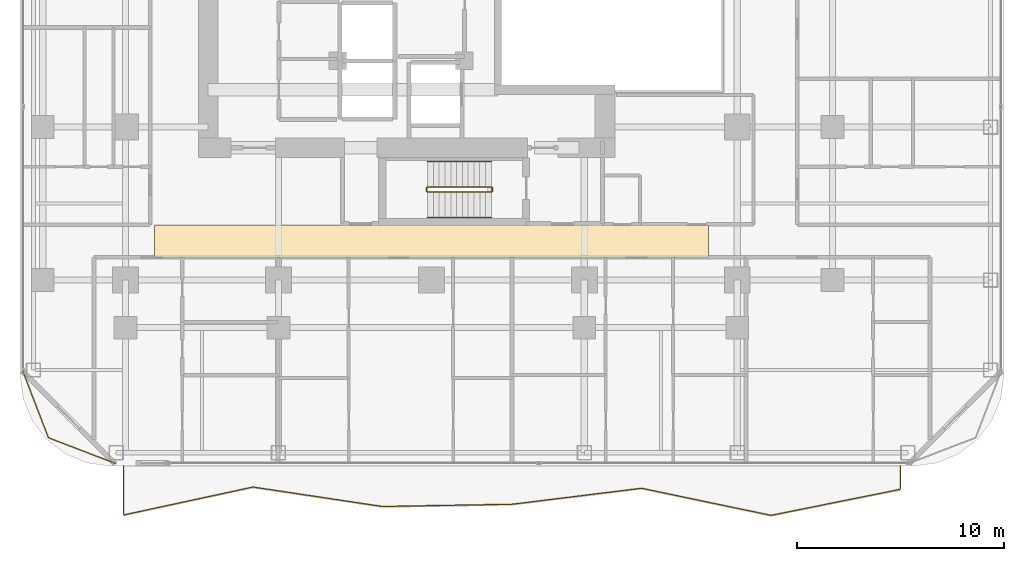
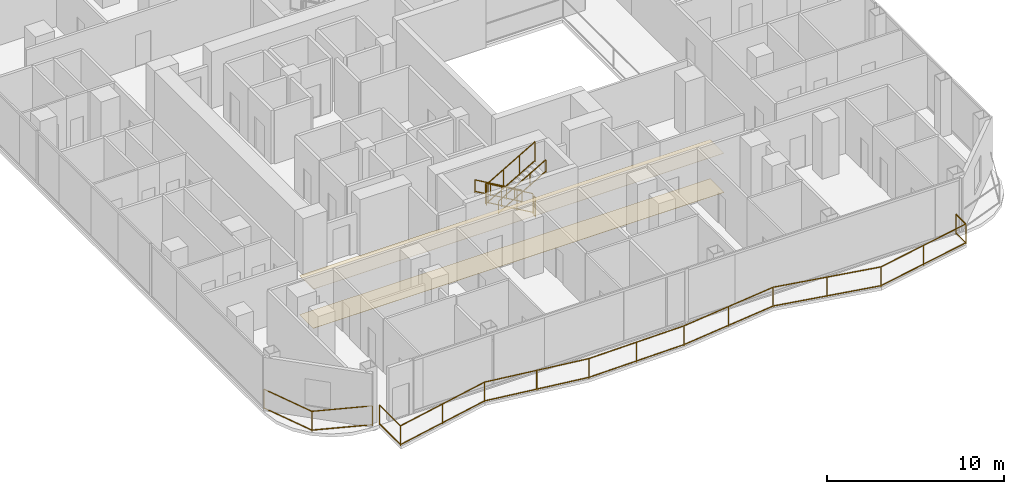
# One storey, part 27 of 29: 8 railings, 2 coverings.
"""IFC4 building model written with IfcOpenShell, lengths in metres."""

from ifc_helpers import new_model, si_unit, direction, frame, origin, origin_2d, place, context, subcontext, project, spatial, polyline, rectangle, outline, extrude, material, layer, layer_set, type_object, element, save


model = new_model("IFC4")

# Units and contexts
model_context = context("Model", 3, precision=1e-05, world=origin(), true_north=direction((0.0, 1.0)))
body_context = subcontext(model_context, "Body", "Model", "MODEL_VIEW")
ifc_project = project(units=[si_unit("LENGTHUNIT", "METRE"), si_unit("AREAUNIT", "SQUARE_METRE"), si_unit("VOLUMEUNIT", "CUBIC_METRE"), si_unit("PLANEANGLEUNIT", "RADIAN"), si_unit("MASSUNIT", "GRAM", prefix="KILO")], contexts=[model_context])

# Site, building, storey
site_placement = place(None, origin())
site = spatial("IfcSite", under=ifc_project, at=site_placement, CompositionType="ELEMENT")
building_placement = place(site_placement, origin())
building = spatial("IfcBuilding", under=site, at=building_placement, Name="Khorvyn Point Tower", CompositionType="ELEMENT")
storey_placement = place(building_placement, frame((0.0, 0.0, 140.699951171875)))
storey = spatial("IfcBuildingStorey", under=building, at=storey_placement, Name="L35", CompositionType="ELEMENT", Elevation=140.699951171875)

# Railings
ifc_material_1 = material(Name="Anodised aluminium 6063-T6 and laminated safety glass", Category="aluminium")
railing_type_1 = type_object("IfcRailingType", Name="Laminated Glass and Aluminium Balcony Guardrail 1400", PredefinedType="BALUSTRADE", material=ifc_material_1)
railing_1_placement = place(storey_placement, frame((-19.774169921875, -19.176025390625, 0.0)))
element("IfcRailing", 1, at=railing_1_placement, inside=storey, type_object=railing_type_1, Name="L35 Rounded Corner Edge Guardrail SW", PredefinedType="BALUSTRADE", context=body_context, shape_type="SweptSolid", body=[
    extrude(rectangle(XDim=0.048095703125, YDim=0.048095703125, at=origin_2d()), frame((0.0, 0.0, 1.3759765625), z_axis=(0.358382264808, -0.933574931257, 0.0), x_axis=(0.933574931257, 0.358382264808, 0.0)), (0.0, 0.0, 1.0), 3.481689453125),
    extrude(rectangle(XDim=0.048095703125, YDim=0.048095703125, at=origin_2d()), frame((0.0, 0.0, 0.080078125), z_axis=(0.358382264808, -0.933574931257, 0.0), x_axis=(0.933574931257, 0.358382264808, 0.0)), (0.0, 0.0, 1.0), 3.481689453125),
    extrude(rectangle(XDim=0.048095703125, YDim=0.048095703125, at=origin_2d()), frame((1.247802734375, -3.25048828125, 1.3759765625), z_axis=(0.933598390295, -0.358321148746, 0.0), x_axis=(0.358321148746, 0.933598390295, 0.0)), (0.0, 0.0, 1.0), 3.481689453125),
    extrude(rectangle(XDim=0.048095703125, YDim=0.048095703125, at=origin_2d()), frame((1.247802734375, -3.25048828125, 0.080078125), z_axis=(0.933598390295, -0.358321148746, 0.0), x_axis=(0.358321148746, 0.933598390295, 0.0)), (0.0, 0.0, 1.0), 3.481689453125),
    extrude(rectangle(XDim=0.0419921875, YDim=0.0419921875, at=origin_2d()), origin(), (0.0, 0.0, 1.0), 1.351806640625),
    extrude(rectangle(XDim=0.0419921875, YDim=0.0419921875, at=origin_2d()), frame((1.247802734375, -3.25048828125, 0.0)), (0.0, 0.0, 1.0), 1.351806640625),
    extrude(rectangle(XDim=0.0419921875, YDim=0.0419921875, at=origin_2d()), frame((4.498291015625, -4.498046875, 0.0)), (0.0, 0.0, 1.0), 1.351806640625),
])
railing_2_placement = place(storey_placement, frame((-14.89990234375, -23.800048828125, 0.0)))
element("IfcRailing", 2, at=railing_2_placement, inside=storey, type_object=railing_type_1, Name="L35 South Balcony Guardrail", PredefinedType="BALUSTRADE", context=body_context, shape_type="SweptSolid", body=[
    extrude(rectangle(XDim=0.048095703125, YDim=0.048095703125, at=origin_2d()), frame((0.0, 0.0, 1.3759765625), z_axis=(0.0, -1.0, 0.0), x_axis=(1.0, 0.0, 0.0)), (0.0, 0.0, 1.0), 2.36669921875),
    extrude(rectangle(XDim=0.048095703125, YDim=0.048095703125, at=origin_2d()), frame((0.0, 0.0, 0.080078125), z_axis=(0.0, -1.0, 0.0), x_axis=(1.0, 0.0, 0.0)), (0.0, 0.0, 1.0), 2.36669921875),
    extrude(rectangle(XDim=0.048095703125, YDim=0.048095703125, at=origin_2d()), frame((0.0, -2.36669921875, 1.3759765625), z_axis=(0.977405023503, 0.21137506956, 0.0), x_axis=(-0.21137506956, 0.977405023503, 0.0)), (0.0, 0.0, 1.0), 6.411376953125),
    extrude(rectangle(XDim=0.048095703125, YDim=0.048095703125, at=origin_2d()), frame((0.0, -2.36669921875, 0.080078125), z_axis=(0.977405023503, 0.21137506956, 0.0), x_axis=(-0.21137506956, 0.977405023503, 0.0)), (0.0, 0.0, 1.0), 6.411376953125),
    extrude(rectangle(XDim=0.048095703125, YDim=0.048095703125, at=origin_2d()), frame((6.2666015625, -1.011474609375, 1.3759765625), z_axis=(0.988914865266, -0.148483632957, 0.0), x_axis=(0.148483632957, 0.988914865266, 0.0)), (0.0, 0.0, 1.0), 6.3369140625),
    extrude(rectangle(XDim=0.048095703125, YDim=0.048095703125, at=origin_2d()), frame((6.2666015625, -1.011474609375, 0.080078125), z_axis=(0.988914865266, -0.148483632957, 0.0), x_axis=(0.148483632957, 0.988914865266, 0.0)), (0.0, 0.0, 1.0), 6.3369140625),
    extrude(rectangle(XDim=0.048095703125, YDim=0.048095703125, at=origin_2d()), frame((12.533203125, -1.952392578125, 1.3759765625), z_axis=(0.999853108862, 0.017139448648, 0.0), x_axis=(-0.017139448648, 0.999853108862, 0.0)), (0.0, 0.0, 1.0), 6.267578125),
    extrude(rectangle(XDim=0.048095703125, YDim=0.048095703125, at=origin_2d()), frame((12.533203125, -1.952392578125, 0.080078125), z_axis=(0.999853108862, 0.017139448648, 0.0), x_axis=(-0.017139448648, 0.999853108862, 0.0)), (0.0, 0.0, 1.0), 6.267578125),
    extrude(rectangle(XDim=0.048095703125, YDim=0.048095703125, at=origin_2d()), frame((18.7998046875, -1.844970703125, 1.3759765625), z_axis=(0.992460588908, 0.122564185081, 0.0), x_axis=(-0.122564185081, 0.992460588908, 0.0)), (0.0, 0.0, 1.0), 6.314453125),
    extrude(rectangle(XDim=0.048095703125, YDim=0.048095703125, at=origin_2d()), frame((18.7998046875, -1.844970703125, 0.080078125), z_axis=(0.992460588908, 0.122564185081, 0.0), x_axis=(-0.122564185081, 0.992460588908, 0.0)), (0.0, 0.0, 1.0), 6.314453125),
    extrude(rectangle(XDim=0.048095703125, YDim=0.048095703125, at=origin_2d()), frame((25.066650390625, -1.071044921875, 1.3759765625), z_axis=(0.978831683943, -0.204666886696, 0.0), x_axis=(0.204666886696, 0.978831683943, 0.0)), (0.0, 0.0, 1.0), 6.402099609375),
    extrude(rectangle(XDim=0.048095703125, YDim=0.048095703125, at=origin_2d()), frame((25.066650390625, -1.071044921875, 0.080078125), z_axis=(0.978831683943, -0.204666886696, 0.0), x_axis=(0.204666886696, 0.978831683943, 0.0)), (0.0, 0.0, 1.0), 6.402099609375),
    extrude(rectangle(XDim=0.048095703125, YDim=0.048095703125, at=origin_2d()), frame((31.333251953125, -2.38134765625, 1.3759765625), z_axis=(0.980297632722, 0.197526077468, 0.0), x_axis=(-0.197526077468, 0.980297632722, 0.0)), (0.0, 0.0, 1.0), 6.392578125),
    extrude(rectangle(XDim=0.048095703125, YDim=0.048095703125, at=origin_2d()), frame((31.333251953125, -2.38134765625, 0.080078125), z_axis=(0.980297632722, 0.197526077468, 0.0), x_axis=(-0.197526077468, 0.980297632722, 0.0)), (0.0, 0.0, 1.0), 6.392578125),
    extrude(rectangle(XDim=0.048095703125, YDim=0.048095703125, at=origin_2d()), frame((37.599853515625, -1.11865234375, 1.3759765625), z_axis=(0.0, 1.0, 0.0), x_axis=(-1.0, 0.0, 0.0)), (0.0, 0.0, 1.0), 1.11865234375),
    extrude(rectangle(XDim=0.048095703125, YDim=0.048095703125, at=origin_2d()), frame((37.599853515625, -1.11865234375, 0.080078125), z_axis=(0.0, 1.0, 0.0), x_axis=(-1.0, 0.0, 0.0)), (0.0, 0.0, 1.0), 1.11865234375),
    extrude(rectangle(XDim=0.0419921875, YDim=0.0419921875, at=origin_2d()), origin(), (0.0, 0.0, 1.0), 1.351806640625),
    extrude(rectangle(XDim=0.0419921875, YDim=0.0419921875, at=origin_2d()), frame((0.0, -2.36669921875, 0.0)), (0.0, 0.0, 1.0), 1.351806640625),
    extrude(rectangle(XDim=0.0419921875, YDim=0.0419921875, at=origin_2d()), frame((3.13330078125, -1.68896484375, 0.0)), (0.0, 0.0, 1.0), 1.351806640625),
    extrude(rectangle(XDim=0.0419921875, YDim=0.0419921875, at=origin_2d()), frame((6.2666015625, -1.011474609375, 0.0)), (0.0, 0.0, 1.0), 1.351806640625),
    extrude(rectangle(XDim=0.0419921875, YDim=0.0419921875, at=origin_2d()), frame((9.39990234375, -1.48193359375, 0.0)), (0.0, 0.0, 1.0), 1.351806640625),
    extrude(rectangle(XDim=0.0419921875, YDim=0.0419921875, at=origin_2d()), frame((12.533203125, -1.952392578125, 0.0)), (0.0, 0.0, 1.0), 1.351806640625),
    extrude(rectangle(XDim=0.0419921875, YDim=0.0419921875, at=origin_2d()), frame((15.66650390625, -1.898681640625, 0.0)), (0.0, 0.0, 1.0), 1.351806640625),
    extrude(rectangle(XDim=0.0419921875, YDim=0.0419921875, at=origin_2d()), frame((18.7998046875, -1.844970703125, 0.0)), (0.0, 0.0, 1.0), 1.351806640625),
    extrude(rectangle(XDim=0.0419921875, YDim=0.0419921875, at=origin_2d()), frame((21.93310546875, -1.4580078125, 0.0)), (0.0, 0.0, 1.0), 1.351806640625),
    extrude(rectangle(XDim=0.0419921875, YDim=0.0419921875, at=origin_2d()), frame((25.066650390625, -1.071044921875, 0.0)), (0.0, 0.0, 1.0), 1.351806640625),
    extrude(rectangle(XDim=0.0419921875, YDim=0.0419921875, at=origin_2d()), frame((28.199951171875, -1.72607421875, 0.0)), (0.0, 0.0, 1.0), 1.351806640625),
    extrude(rectangle(XDim=0.0419921875, YDim=0.0419921875, at=origin_2d()), frame((31.333251953125, -2.38134765625, 0.0)), (0.0, 0.0, 1.0), 1.351806640625),
    extrude(rectangle(XDim=0.0419921875, YDim=0.0419921875, at=origin_2d()), frame((34.466552734375, -1.75, 0.0)), (0.0, 0.0, 1.0), 1.351806640625),
    extrude(rectangle(XDim=0.0419921875, YDim=0.0419921875, at=origin_2d()), frame((37.599853515625, -1.11865234375, 0.0)), (0.0, 0.0, 1.0), 1.351806640625),
    extrude(rectangle(XDim=0.0419921875, YDim=0.0419921875, at=origin_2d()), frame((37.599853515625, 0.0, 0.0)), (0.0, 0.0, 1.0), 1.351806640625),
])

# Coverings
ifc_material_2 = material(Name="Mineral-fibre acoustic ceiling board", Category="gypsum")
ifc_layer_1 = layer(ifc_material_2, 0.02001953125)
ifc_layer_set_1 = layer_set([ifc_layer_1], Name="Perforated Mineral-Fibre Acoustic Suspended Ceiling 20")
covering_type_1 = type_object("IfcCoveringType", Name="Perforated Mineral-Fibre Acoustic Suspended Ceiling 20", PredefinedType="CEILING", material=ifc_layer_set_1)
covering_1_placement = place(storey_placement, frame((0.0, 0.0, 2.699951171875)))
element("IfcCovering", 3, at=covering_1_placement, inside=storey, type_object=covering_type_1, Name="L35 South Corridor Acoustic Ceiling", PredefinedType="CEILING", context=body_context, shape_type="SweptSolid", body=[
    extrude(outline(polyline([(-13.39990234375, -13.7099609375), (13.39990234375, -13.7099609375), (13.39990234375, -12.139892578125), (-13.39990234375, -12.139892578125), (-13.39990234375, -13.7099609375)])), origin(), (0.0, 0.0, 1.0), 0.02001953125),
])
ifc_material_3 = material(Name="Vitrified porcelain terrazzo tile", Category="ceramic")
ifc_layer_2 = layer(ifc_material_3, 0.01806640625)
ifc_layer_set_2 = layer_set([ifc_layer_2], Name="Porcelain Terrazzo Corridor Floor Finish Tile 18")
covering_type_2 = type_object("IfcCoveringType", Name="Porcelain Terrazzo Corridor Floor Finish Tile 18", PredefinedType="FLOORING", material=ifc_layer_set_2)
covering_2_placement = place(storey_placement, origin())
element("IfcCovering", 4, at=covering_2_placement, inside=storey, type_object=covering_type_2, Name="L35 South Corridor Terrazzo Flooring", PredefinedType="FLOORING", context=body_context, shape_type="SweptSolid", body=[
    extrude(outline(polyline([(-13.39990234375, -13.7099609375), (13.39990234375, -13.7099609375), (13.39990234375, -12.139892578125), (-13.39990234375, -12.139892578125), (-13.39990234375, -13.7099609375)])), origin(), (0.0, 0.0, 1.0), 0.01806640625),
])

# Railings
ifc_material_4 = material(Name="Stainless steel 1.4301", Category="steel")
railing_type_2 = type_object("IfcRailingType", Name="Stainless Steel 304 Stair Pitch Handrail 900", PredefinedType="HANDRAIL", material=ifc_material_4)
railing_3_placement = place(storey_placement, frame((2.89990234375, -9.070068359375, 0.16259765625)))
element("IfcRailing", 5, at=railing_3_placement, inside=storey, type_object=railing_type_2, Name="L35 ST-01 stair handrail 1", PredefinedType="HANDRAIL", context=body_context, shape_type="SweptSolid", body=[
    extrude(rectangle(XDim=0.048095703125, YDim=0.048095703125, at=origin_2d()), frame((0.0, 0.0, 0.8759765625), z_axis=(-0.864903211148, 0.0, 0.501938676878), x_axis=(0.0, -1.0, 0.0)), (0.0, 0.0, 1.0), 3.560791015625),
    extrude(rectangle(XDim=0.048095703125, YDim=0.048095703125, at=origin_2d()), frame((0.0, 0.0, 0.080078125), z_axis=(-0.864903211148, 0.0, 0.501938676878), x_axis=(0.0, -1.0, 0.0)), (0.0, 0.0, 1.0), 3.560791015625),
    extrude(rectangle(XDim=0.0419921875, YDim=0.0419921875, at=origin_2d()), origin(), (0.0, 0.0, 1.0), 0.851806640625),
    extrude(rectangle(XDim=0.0419921875, YDim=0.0419921875, at=origin_2d()), frame((-1.026611328125, 0.0, 0.595703125)), (0.0, 0.0, 1.0), 0.851806640625),
    extrude(rectangle(XDim=0.0419921875, YDim=0.0419921875, at=origin_2d()), frame((-2.05322265625, 0.0, 1.191650390625)), (0.0, 0.0, 1.0), 0.851806640625),
    extrude(rectangle(XDim=0.0419921875, YDim=0.0419921875, at=origin_2d()), frame((-3.079833984375, 0.0, 1.787353515625)), (0.0, 0.0, 1.0), 0.851806640625),
])
railing_4_placement = place(storey_placement, frame((-0.179931640625, -11.77001953125, 2.112548828125)))
element("IfcRailing", 6, at=railing_4_placement, inside=storey, type_object=railing_type_2, Name="L35 ST-01 stair handrail 2", PredefinedType="HANDRAIL", context=body_context, shape_type="SweptSolid", body=[
    extrude(rectangle(XDim=0.048095703125, YDim=0.048095703125, at=origin_2d()), frame((0.0, 0.0, 0.8759765625), z_axis=(0.864873446163, 0.0, 0.501989962173), x_axis=(0.0, 1.0, 0.0)), (0.0, 0.0, 1.0), 3.56103515625),
    extrude(rectangle(XDim=0.048095703125, YDim=0.048095703125, at=origin_2d()), frame((0.0, 0.0, 0.080078125), z_axis=(0.864873446163, 0.0, 0.501989962173), x_axis=(0.0, 1.0, 0.0)), (0.0, 0.0, 1.0), 3.56103515625),
    extrude(rectangle(XDim=0.0419921875, YDim=0.0419921875, at=origin_2d()), origin(), (0.0, 0.0, 1.0), 0.851806640625),
    extrude(rectangle(XDim=0.0419921875, YDim=0.0419921875, at=origin_2d()), frame((1.026611328125, 0.0, 0.595947265625)), (0.0, 0.0, 1.0), 0.851806640625),
    extrude(rectangle(XDim=0.0419921875, YDim=0.0419921875, at=origin_2d()), frame((2.05322265625, 0.0, 1.191650390625)), (0.0, 0.0, 1.0), 0.851806640625),
    extrude(rectangle(XDim=0.0419921875, YDim=0.0419921875, at=origin_2d()), frame((3.079833984375, 0.0, 1.78759765625)), (0.0, 0.0, 1.0), 0.851806640625),
])
railing_type_3 = type_object("IfcRailingType", Name="Stainless Steel 304 Stair Well Guardrail 1400", PredefinedType="GUARDRAIL", material=ifc_material_4)
railing_5_placement = place(storey_placement, frame((2.89990234375, -10.2900390625, 0.16259765625)))
element("IfcRailing", 7, at=railing_5_placement, inside=storey, type_object=railing_type_3, Name="L35 ST-01 stair guard 1", PredefinedType="GUARDRAIL", context=body_context, shape_type="SweptSolid", body=[
    extrude(rectangle(XDim=0.048095703125, YDim=0.048095703125, at=origin_2d()), frame((0.0, 0.0, 1.3759765625), z_axis=(-0.864903211148, 0.0, 0.501938676878), x_axis=(0.0, -1.0, 0.0)), (0.0, 0.0, 1.0), 3.560791015625),
    extrude(rectangle(XDim=0.048095703125, YDim=0.048095703125, at=origin_2d()), frame((0.0, 0.0, 0.080078125), z_axis=(-0.864903211148, 0.0, 0.501938676878), x_axis=(0.0, -1.0, 0.0)), (0.0, 0.0, 1.0), 3.560791015625),
    extrude(rectangle(XDim=0.0419921875, YDim=0.0419921875, at=origin_2d()), origin(), (0.0, 0.0, 1.0), 1.351806640625),
    extrude(rectangle(XDim=0.0419921875, YDim=0.0419921875, at=origin_2d()), frame((-1.026611328125, 0.0, 0.595703125)), (0.0, 0.0, 1.0), 1.351806640625),
    extrude(rectangle(XDim=0.0419921875, YDim=0.0419921875, at=origin_2d()), frame((-2.05322265625, 0.0, 1.191650390625)), (0.0, 0.0, 1.0), 1.351806640625),
    extrude(rectangle(XDim=0.0419921875, YDim=0.0419921875, at=origin_2d()), frame((-3.079833984375, 0.0, 1.787353515625)), (0.0, 0.0, 1.0), 1.351806640625),
])
railing_6_placement = place(storey_placement, frame((-0.22998046875, -10.340087890625, 1.949951171875)))
element("IfcRailing", 8, at=railing_6_placement, inside=storey, type_object=railing_type_3, Name="L35 ST-01 stair guard 2", PredefinedType="GUARDRAIL", context=body_context, shape_type="SweptSolid", body=[
    extrude(rectangle(XDim=0.048095703125, YDim=0.048095703125, at=origin_2d()), frame((0.0, 0.0, 1.3759765625), z_axis=(0.0, -1.0, 0.0), x_axis=(1.0, 0.0, 0.0)), (0.0, 0.0, 1.0), 0.159912109375),
    extrude(rectangle(XDim=0.048095703125, YDim=0.048095703125, at=origin_2d()), frame((0.0, 0.0, 0.080078125), z_axis=(0.0, -1.0, 0.0), x_axis=(1.0, 0.0, 0.0)), (0.0, 0.0, 1.0), 0.159912109375),
    extrude(rectangle(XDim=0.0419921875, YDim=0.0419921875, at=origin_2d()), origin(), (0.0, 0.0, 1.0), 1.351806640625),
    extrude(rectangle(XDim=0.0419921875, YDim=0.0419921875, at=origin_2d()), frame((0.0, -0.159912109375, 0.0)), (0.0, 0.0, 1.0), 1.351806640625),
])
railing_7_placement = place(storey_placement, frame((-0.179931640625, -10.550048828125, 2.112548828125)))
element("IfcRailing", 9, at=railing_7_placement, inside=storey, type_object=railing_type_3, Name="L35 ST-01 stair guard 3", PredefinedType="GUARDRAIL", context=body_context, shape_type="SweptSolid", body=[
    extrude(rectangle(XDim=0.048095703125, YDim=0.048095703125, at=origin_2d()), frame((0.0, 0.0, 1.3759765625), z_axis=(0.864873446163, 0.0, 0.501989962173), x_axis=(0.0, 1.0, 0.0)), (0.0, 0.0, 1.0), 3.56103515625),
    extrude(rectangle(XDim=0.048095703125, YDim=0.048095703125, at=origin_2d()), frame((0.0, 0.0, 0.080078125), z_axis=(0.864873446163, 0.0, 0.501989962173), x_axis=(0.0, 1.0, 0.0)), (0.0, 0.0, 1.0), 3.56103515625),
    extrude(rectangle(XDim=0.0419921875, YDim=0.0419921875, at=origin_2d()), origin(), (0.0, 0.0, 1.0), 1.351806640625),
    extrude(rectangle(XDim=0.0419921875, YDim=0.0419921875, at=origin_2d()), frame((1.026611328125, 0.0, 0.595947265625)), (0.0, 0.0, 1.0), 1.351806640625),
    extrude(rectangle(XDim=0.0419921875, YDim=0.0419921875, at=origin_2d()), frame((2.05322265625, 0.0, 1.191650390625)), (0.0, 0.0, 1.0), 1.351806640625),
    extrude(rectangle(XDim=0.0419921875, YDim=0.0419921875, at=origin_2d()), frame((3.079833984375, 0.0, 1.78759765625)), (0.0, 0.0, 1.0), 1.351806640625),
])
railing_8_placement = place(storey_placement, frame((2.949951171875, -10.340087890625, 0.0)))
element("IfcRailing", 10, at=railing_8_placement, inside=storey, type_object=railing_type_3, Name="L35 ST-01 stair guard 4", PredefinedType="GUARDRAIL", context=body_context, shape_type="SweptSolid", body=[
    extrude(rectangle(XDim=0.048095703125, YDim=0.048095703125, at=origin_2d()), frame((0.0, 0.0, 1.3759765625), z_axis=(0.0, -1.0, 0.0), x_axis=(1.0, 0.0, 0.0)), (0.0, 0.0, 1.0), 0.159912109375),
    extrude(rectangle(XDim=0.048095703125, YDim=0.048095703125, at=origin_2d()), frame((0.0, 0.0, 0.080078125), z_axis=(0.0, -1.0, 0.0), x_axis=(1.0, 0.0, 0.0)), (0.0, 0.0, 1.0), 0.159912109375),
    extrude(rectangle(XDim=0.0419921875, YDim=0.0419921875, at=origin_2d()), origin(), (0.0, 0.0, 1.0), 1.351806640625),
    extrude(rectangle(XDim=0.0419921875, YDim=0.0419921875, at=origin_2d()), frame((0.0, -0.159912109375, 0.0)), (0.0, 0.0, 1.0), 1.351806640625),
])

save(model, "model.ifc")
